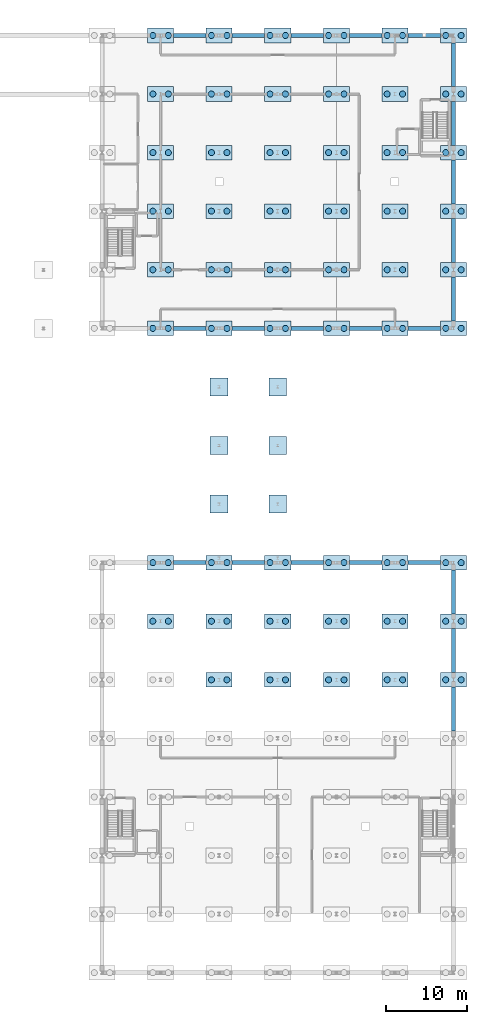
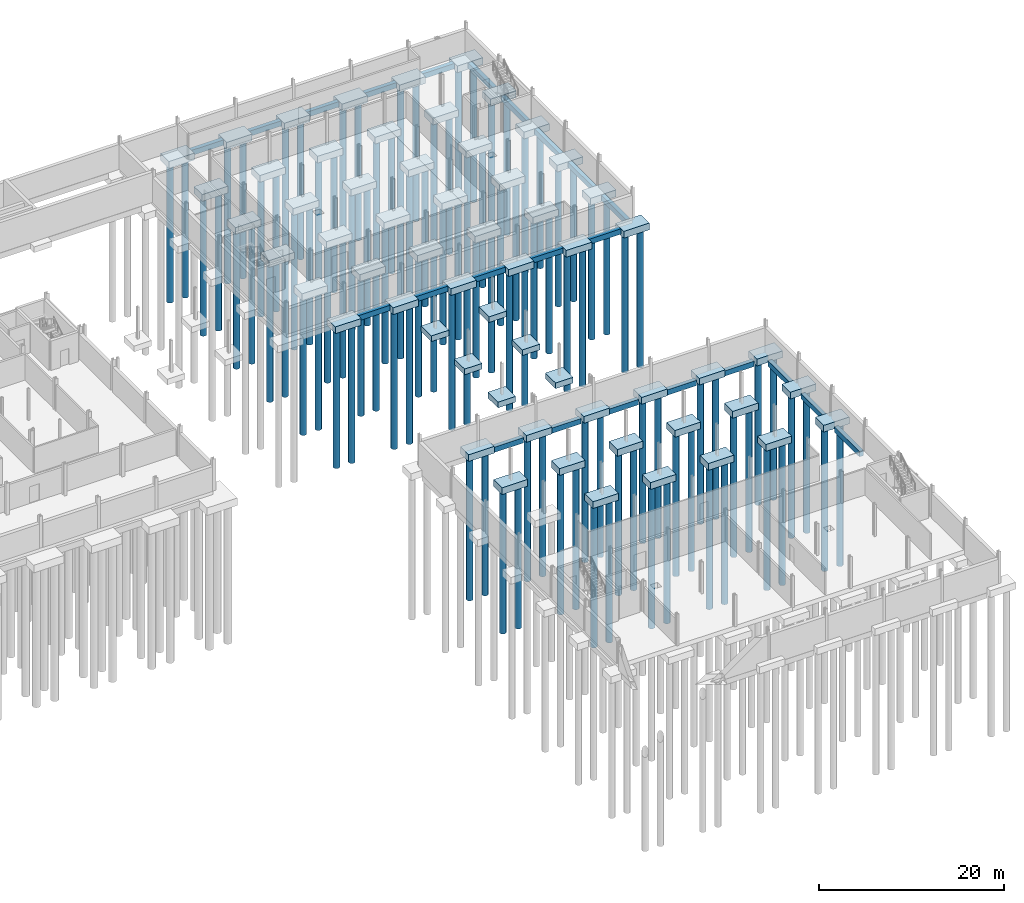
# One storey, part 7 of 50: 106 piles, 82 footings.
"""IFC4 building model written with IfcOpenShell, lengths in metres."""

from ifc_helpers import new_model, si_unit, direction, frame, origin, origin_2d, place, context, subcontext, project, spatial, rectangle, circle, extrude, material, layer, layer_set, material_profile, profile_set, type_object, element, save


model = new_model("IFC4")

# Units and contexts
model_context = context("Model", 3, precision=1e-05, world=origin(), true_north=direction((0.0, 1.0)))
body_context = subcontext(model_context, "Body", "Model", "MODEL_VIEW")
ifc_project = project(units=[si_unit("LENGTHUNIT", "METRE"), si_unit("AREAUNIT", "SQUARE_METRE"), si_unit("VOLUMEUNIT", "CUBIC_METRE"), si_unit("PLANEANGLEUNIT", "RADIAN"), si_unit("MASSUNIT", "GRAM", prefix="KILO")], contexts=[model_context])

# Site, building, storey
site_placement = place(None, origin())
site = spatial("IfcSite", under=ifc_project, at=site_placement, CompositionType="ELEMENT")
building_placement = place(site_placement, origin())
building = spatial("IfcBuilding", under=site, at=building_placement, Name="Narikvali Park Central Library", CompositionType="ELEMENT")
storey_placement = place(building_placement, frame((0.0, 0.0, -4.199951171875)))
storey = spatial("IfcBuildingStorey", under=building, at=storey_placement, Name="B1", CompositionType="ELEMENT", Elevation=-4.199951171875)

# Piles
ifc_material = material(Name="Concrete C35/45", Category="concrete")
ifc_material_profile_1 = material_profile(ifc_material, circle(Radius=0.375, at=origin_2d()), Name="PILE D750")
ifc_profile_set_1 = profile_set([ifc_material_profile_1], Name="Concrete C35/45")
pile_type = type_object("IfcPileType", Name="Bored Pile D750", PredefinedType="BORED", material=ifc_profile_set_1)
for number, where, z_axis, x_axis, name in (
    (1, (128.64990234375, 79.199951171875, -1.400146484375), (0.0, 0.0, -1.0), (1.0, 0.0, 0.0), "Bored Pile (128.65,79.20)"),
    (2, (130.550048828125, 79.199951171875, -1.400146484375), (0.0, 0.0, -1.0), (1.0, 0.0, 0.0), "Bored Pile (130.55,79.20)"),
    (3, (128.64990234375, 86.39990234375, -1.400146484375), (0.0, 0.0, -1.0), (1.0, 0.0, 0.0), "Bored Pile (128.65,86.40)"),
    (4, (130.550048828125, 86.39990234375, -1.400146484375), (0.0, 0.0, -1.0), (1.0, 0.0, 0.0), "Bored Pile (130.55,86.40)"),
    (5, (128.64990234375, 93.60009765625, -1.400146484375), (0.0, 0.0, -1.0), (1.0, 0.0, 0.0), "Bored Pile (128.65,93.60)"),
    (6, (130.550048828125, 93.60009765625, -1.400146484375), (0.0, 0.0, -1.0), (1.0, 0.0, 0.0), "Bored Pile (130.55,93.60)"),
    (7, (128.64990234375, 100.800048828125, -1.400146484375), (0.0, 0.0, -1.0), (1.0, 0.0, 0.0), "Bored Pile (128.65,100.80)"),
    (8, (130.550048828125, 100.800048828125, -1.400146484375), (0.0, 0.0, -1.0), (1.0, 0.0, 0.0), "Bored Pile (130.55,100.80)"),
    (9, (128.64990234375, 108.0, -1.400146484375), (0.0, 0.0, -1.0), (1.0, 0.0, 0.0), "Bored Pile (128.65,108.00)"),
    (10, (130.550048828125, 108.0, -1.400146484375), (0.0, 0.0, -1.0), (1.0, 0.0, 0.0), "Bored Pile (130.55,108.00)"),
    (11, (128.64990234375, 115.199951171875, -1.400146484375), (0.0, 0.0, -1.0), (1.0, 0.0, 0.0), "Bored Pile (128.65,115.20)"),
    (12, (130.550048828125, 115.199951171875, -1.400146484375), (0.0, 0.0, -1.0), (1.0, 0.0, 0.0), "Bored Pile (130.55,115.20)"),
    (13, (135.85009765625, 79.199951171875, -1.400146484375), (0.0, 0.0, -1.0), (1.0, 0.0, 0.0), "Bored Pile (135.85,79.20)"),
    (14, (137.75, 79.199951171875, -1.400146484375), (0.0, 0.0, -1.0), (1.0, 0.0, 0.0), "Bored Pile (137.75,79.20)"),
    (15, (135.85009765625, 86.39990234375, -1.400146484375), (0.0, 0.0, -1.0), (1.0, 0.0, 0.0), "Bored Pile (135.85,86.40)"),
    (16, (137.75, 86.39990234375, -1.400146484375), (0.0, 0.0, -1.0), (1.0, 0.0, 0.0), "Bored Pile (137.75,86.40)"),
    (17, (135.85009765625, 93.60009765625, -1.400146484375), (0.0, 0.0, -1.0), (1.0, 0.0, 0.0), "Bored Pile (135.85,93.60)"),
    (18, (137.75, 93.60009765625, -1.400146484375), (0.0, 0.0, -1.0), (1.0, 0.0, 0.0), "Bored Pile (137.75,93.60)"),
    (19, (135.85009765625, 100.800048828125, -1.400146484375), (0.0, 0.0, -1.0), (1.0, 0.0, 0.0), "Bored Pile (135.85,100.80)"),
    (20, (137.75, 100.800048828125, -1.400146484375), (0.0, 0.0, -1.0), (1.0, 0.0, 0.0), "Bored Pile (137.75,100.80)"),
    (21, (135.85009765625, 108.0, -1.400146484375), (0.0, 0.0, -1.0), (1.0, 0.0, 0.0), "Bored Pile (135.85,108.00)"),
    (22, (137.75, 108.0, -1.400146484375), (0.0, 0.0, -1.0), (1.0, 0.0, 0.0), "Bored Pile (137.75,108.00)"),
    (23, (135.85009765625, 115.199951171875, -1.400146484375), (0.0, 0.0, -1.0), (1.0, 0.0, 0.0), "Bored Pile (135.85,115.20)"),
    (24, (137.75, 115.199951171875, -1.400146484375), (0.0, 0.0, -1.0), (1.0, 0.0, 0.0), "Bored Pile (137.75,115.20)"),
    (25, (143.050048828125, 79.199951171875, -1.400146484375), (0.0, 0.0, -1.0), (1.0, 0.0, 0.0), "Bored Pile (143.05,79.20)"),
    (26, (144.949951171875, 79.199951171875, -1.400146484375), (0.0, 0.0, -1.0), (1.0, 0.0, 0.0), "Bored Pile (144.95,79.20)"),
    (27, (143.050048828125, 86.39990234375, -1.400146484375), (0.0, 0.0, -1.0), (1.0, 0.0, 0.0), "Bored Pile (143.05,86.40)"),
    (28, (144.949951171875, 86.39990234375, -1.400146484375), (0.0, 0.0, -1.0), (1.0, 0.0, 0.0), "Bored Pile (144.95,86.40)"),
    (29, (143.050048828125, 93.60009765625, -1.400146484375), (0.0, 0.0, -1.0), (1.0, 0.0, 0.0), "Bored Pile (143.05,93.60)"),
    (30, (144.949951171875, 93.60009765625, -1.400146484375), (0.0, 0.0, -1.0), (1.0, 0.0, 0.0), "Bored Pile (144.95,93.60)"),
    (31, (143.050048828125, 100.800048828125, -1.400146484375), (0.0, 0.0, -1.0), (1.0, 0.0, 0.0), "Bored Pile (143.05,100.80)"),
    (32, (144.949951171875, 100.800048828125, -1.400146484375), (0.0, 0.0, -1.0), (1.0, 0.0, 0.0), "Bored Pile (144.95,100.80)"),
    (33, (143.050048828125, 108.0, -1.400146484375), (0.0, 0.0, -1.0), (1.0, 0.0, 0.0), "Bored Pile (143.05,108.00)"),
    (34, (144.949951171875, 108.0, -1.400146484375), (0.0, 0.0, -1.0), (1.0, 0.0, 0.0), "Bored Pile (144.95,108.00)"),
    (35, (143.050048828125, 115.199951171875, -1.400146484375), (0.0, 0.0, -1.0), (1.0, 0.0, 0.0), "Bored Pile (143.05,115.20)"),
    (36, (144.949951171875, 115.199951171875, -1.400146484375), (0.0, 0.0, -1.0), (1.0, 0.0, 0.0), "Bored Pile (144.95,115.20)"),
    (37, (150.25, 79.199951171875, -1.400146484375), (0.0, 0.0, -1.0), (1.0, 0.0, 0.0), "Bored Pile (150.25,79.20)"),
    (38, (152.14990234375, 79.199951171875, -1.400146484375), (0.0, 0.0, -1.0), (1.0, 0.0, 0.0), "Bored Pile (152.15,79.20)"),
    (39, (150.25, 86.39990234375, -1.400146484375), (0.0, 0.0, -1.0), (1.0, 0.0, 0.0), "Bored Pile (150.25,86.40)"),
    (40, (152.14990234375, 86.39990234375, -1.400146484375), (0.0, 0.0, -1.0), (1.0, 0.0, 0.0), "Bored Pile (152.15,86.40)"),
    (41, (150.25, 93.60009765625, -1.400146484375), (0.0, 0.0, -1.0), (1.0, 0.0, 0.0), "Bored Pile (150.25,93.60)"),
    (42, (152.14990234375, 93.60009765625, -1.400146484375), (0.0, 0.0, -1.0), (1.0, 0.0, 0.0), "Bored Pile (152.15,93.60)"),
    (43, (150.25, 100.800048828125, -1.400146484375), (0.0, 0.0, -1.0), (1.0, 0.0, 0.0), "Bored Pile (150.25,100.80)"),
    (44, (152.14990234375, 100.800048828125, -1.400146484375), (0.0, 0.0, -1.0), (1.0, 0.0, 0.0), "Bored Pile (152.15,100.80)"),
    (45, (150.25, 108.0, -1.400146484375), (0.0, 0.0, -1.0), (1.0, 0.0, 0.0), "Bored Pile (150.25,108.00)"),
    (46, (152.14990234375, 108.0, -1.400146484375), (0.0, 0.0, -1.0), (1.0, 0.0, 0.0), "Bored Pile (152.15,108.00)"),
    (47, (150.25, 115.199951171875, -1.400146484375), (0.0, 0.0, -1.0), (1.0, 0.0, 0.0), "Bored Pile (150.25,115.20)"),
    (48, (152.14990234375, 115.199951171875, -1.400146484375), (0.0, 0.0, -1.0), (1.0, 0.0, 0.0), "Bored Pile (152.15,115.20)"),
    (49, (157.449951171875, 79.199951171875, -1.400146484375), (0.0, 0.0, -1.0), (1.0, 0.0, 0.0), "Bored Pile (157.45,79.20)"),
    (50, (159.35009765625, 79.199951171875, -1.400146484375), (0.0, 0.0, -1.0), (1.0, 0.0, 0.0), "Bored Pile (159.35,79.20)"),
    (51, (157.449951171875, 86.39990234375, -1.400146484375), (0.0, 0.0, -1.0), (1.0, 0.0, 0.0), "Bored Pile (157.45,86.40)"),
    (52, (159.35009765625, 86.39990234375, -1.400146484375), (0.0, 0.0, -1.0), (1.0, 0.0, 0.0), "Bored Pile (159.35,86.40)"),
    (53, (157.449951171875, 93.60009765625, -1.400146484375), (0.0, 0.0, -1.0), (1.0, 0.0, 0.0), "Bored Pile (157.45,93.60)"),
    (54, (159.35009765625, 93.60009765625, -1.400146484375), (0.0, 0.0, -1.0), (1.0, 0.0, 0.0), "Bored Pile (159.35,93.60)"),
    (55, (157.449951171875, 100.800048828125, -1.400146484375), (0.0, 0.0, -1.0), (1.0, 0.0, 0.0), "Bored Pile (157.45,100.80)"),
    (56, (159.35009765625, 100.800048828125, -1.400146484375), (0.0, 0.0, -1.0), (1.0, 0.0, 0.0), "Bored Pile (159.35,100.80)"),
    (57, (157.449951171875, 108.0, -1.400146484375), (0.0, 0.0, -1.0), (1.0, 0.0, 0.0), "Bored Pile (157.45,108.00)"),
    (58, (159.35009765625, 108.0, -1.400146484375), (0.0, 0.0, -1.0), (1.0, 0.0, 0.0), "Bored Pile (159.35,108.00)"),
    (59, (157.449951171875, 115.199951171875, -1.400146484375), (0.0, 0.0, -1.0), (1.0, 0.0, 0.0), "Bored Pile (157.45,115.20)"),
    (60, (159.35009765625, 115.199951171875, -1.400146484375), (0.0, 0.0, -1.0), (1.0, 0.0, 0.0), "Bored Pile (159.35,115.20)"),
    (61, (164.64990234375, 79.199951171875, -1.400146484375), (0.0, 0.0, -1.0), (1.0, 0.0, 0.0), "Bored Pile (164.65,79.20)"),
    (62, (166.550048828125, 79.199951171875, -1.400146484375), (0.0, 0.0, -1.0), (1.0, 0.0, 0.0), "Bored Pile (166.55,79.20)"),
    (63, (164.64990234375, 86.39990234375, -1.400146484375), (0.0, 0.0, -1.0), (1.0, 0.0, 0.0), "Bored Pile (164.65,86.40)"),
    (64, (166.550048828125, 86.39990234375, -1.400146484375), (0.0, 0.0, -1.0), (1.0, 0.0, 0.0), "Bored Pile (166.55,86.40)"),
    (65, (164.64990234375, 93.60009765625, -1.400146484375), (0.0, 0.0, -1.0), (1.0, 0.0, 0.0), "Bored Pile (164.65,93.60)"),
    (66, (166.550048828125, 93.60009765625, -1.400146484375), (0.0, 0.0, -1.0), (1.0, 0.0, 0.0), "Bored Pile (166.55,93.60)"),
    (67, (164.64990234375, 100.800048828125, -1.400146484375), (0.0, 0.0, -1.0), (1.0, 0.0, 0.0), "Bored Pile (164.65,100.80)"),
    (68, (166.550048828125, 100.800048828125, -1.400146484375), (0.0, 0.0, -1.0), (1.0, 0.0, 0.0), "Bored Pile (166.55,100.80)"),
    (69, (164.64990234375, 108.0, -1.400146484375), (0.0, 0.0, -1.0), (1.0, 0.0, 0.0), "Bored Pile (164.65,108.00)"),
    (70, (166.550048828125, 108.0, -1.400146484375), (0.0, 0.0, -1.0), (1.0, 0.0, 0.0), "Bored Pile (166.55,108.00)"),
    (71, (164.64990234375, 115.199951171875, -1.400146484375), (0.0, 0.0, -1.0), (1.0, 0.0, 0.0), "Bored Pile (164.65,115.20)"),
    (72, (166.550048828125, 115.199951171875, -1.400146484375), (0.0, 0.0, -1.0), (1.0, 0.0, 0.0), "Bored Pile (166.55,115.20)"),
):
    element("IfcPile", number, at=place(storey_placement, frame(where, z_axis=z_axis, x_axis=x_axis)), inside=storey, type_object=pile_type, Name=name, PredefinedType="BORED", context=body_context, shape_type="SweptSolid", body=[
        extrude(circle(Radius=0.375, at=origin_2d()), origin(), (0.0, 0.0, 1.0), 18.39990234375),
    ])
for number, where, z_axis, x_axis, name in (
    (73, (128.64990234375, 43.199951171875, -0.800048828125), (0.0, 0.0, -1.0), (1.0, 0.0, 0.0), "Bored Pile (128.65,43.20)"),
    (74, (130.550048828125, 43.199951171875, -0.800048828125), (0.0, 0.0, -1.0), (1.0, 0.0, 0.0), "Bored Pile (130.55,43.20)"),
    (75, (128.64990234375, 50.39990234375, -0.800048828125), (0.0, 0.0, -1.0), (1.0, 0.0, 0.0), "Bored Pile (128.65,50.40)"),
    (76, (130.550048828125, 50.39990234375, -0.800048828125), (0.0, 0.0, -1.0), (1.0, 0.0, 0.0), "Bored Pile (130.55,50.40)"),
    (77, (135.85009765625, 36.0, -0.800048828125), (0.0, 0.0, -1.0), (1.0, 0.0, 0.0), "Bored Pile (135.85,36.00)"),
    (78, (137.75, 36.0, -0.800048828125), (0.0, 0.0, -1.0), (1.0, 0.0, 0.0), "Bored Pile (137.75,36.00)"),
    (79, (135.85009765625, 43.199951171875, -0.800048828125), (0.0, 0.0, -1.0), (1.0, 0.0, 0.0), "Bored Pile (135.85,43.20)"),
    (80, (137.75, 43.199951171875, -0.800048828125), (0.0, 0.0, -1.0), (1.0, 0.0, 0.0), "Bored Pile (137.75,43.20)"),
    (81, (135.85009765625, 50.39990234375, -0.800048828125), (0.0, 0.0, -1.0), (1.0, 0.0, 0.0), "Bored Pile (135.85,50.40)"),
    (82, (137.75, 50.39990234375, -0.800048828125), (0.0, 0.0, -1.0), (1.0, 0.0, 0.0), "Bored Pile (137.75,50.40)"),
    (83, (143.050048828125, 36.0, -0.800048828125), (0.0, 0.0, -1.0), (1.0, 0.0, 0.0), "Bored Pile (143.05,36.00)"),
    (84, (144.949951171875, 36.0, -0.800048828125), (0.0, 0.0, -1.0), (1.0, 0.0, 0.0), "Bored Pile (144.95,36.00)"),
    (85, (143.050048828125, 43.199951171875, -0.800048828125), (0.0, 0.0, -1.0), (1.0, 0.0, 0.0), "Bored Pile (143.05,43.20)"),
    (86, (144.949951171875, 43.199951171875, -0.800048828125), (0.0, 0.0, -1.0), (1.0, 0.0, 0.0), "Bored Pile (144.95,43.20)"),
    (87, (143.050048828125, 50.39990234375, -0.800048828125), (0.0, 0.0, -1.0), (1.0, 0.0, 0.0), "Bored Pile (143.05,50.40)"),
    (88, (144.949951171875, 50.39990234375, -0.800048828125), (0.0, 0.0, -1.0), (1.0, 0.0, 0.0), "Bored Pile (144.95,50.40)"),
    (89, (150.25, 36.0, -0.800048828125), (0.0, 0.0, -1.0), (1.0, 0.0, 0.0), "Bored Pile (150.25,36.00)"),
    (90, (152.14990234375, 36.0, -0.800048828125), (0.0, 0.0, -1.0), (1.0, 0.0, 0.0), "Bored Pile (152.15,36.00)"),
    (91, (150.25, 43.199951171875, -0.800048828125), (0.0, 0.0, -1.0), (1.0, 0.0, 0.0), "Bored Pile (150.25,43.20)"),
    (92, (152.14990234375, 43.199951171875, -0.800048828125), (0.0, 0.0, -1.0), (1.0, 0.0, 0.0), "Bored Pile (152.15,43.20)"),
    (93, (150.25, 50.39990234375, -0.800048828125), (0.0, 0.0, -1.0), (1.0, 0.0, 0.0), "Bored Pile (150.25,50.40)"),
    (94, (152.14990234375, 50.39990234375, -0.800048828125), (0.0, 0.0, -1.0), (1.0, 0.0, 0.0), "Bored Pile (152.15,50.40)"),
    (95, (157.449951171875, 36.0, -0.800048828125), (0.0, 0.0, -1.0), (1.0, 0.0, 0.0), "Bored Pile (157.45,36.00)"),
    (96, (159.35009765625, 36.0, -0.800048828125), (0.0, 0.0, -1.0), (1.0, 0.0, 0.0), "Bored Pile (159.35,36.00)"),
    (97, (157.449951171875, 43.199951171875, -0.800048828125), (0.0, 0.0, -1.0), (1.0, 0.0, 0.0), "Bored Pile (157.45,43.20)"),
    (98, (159.35009765625, 43.199951171875, -0.800048828125), (0.0, 0.0, -1.0), (1.0, 0.0, 0.0), "Bored Pile (159.35,43.20)"),
    (99, (157.449951171875, 50.39990234375, -0.800048828125), (0.0, 0.0, -1.0), (1.0, 0.0, 0.0), "Bored Pile (157.45,50.40)"),
    (100, (159.35009765625, 50.39990234375, -0.800048828125), (0.0, 0.0, -1.0), (1.0, 0.0, 0.0), "Bored Pile (159.35,50.40)"),
    (101, (164.64990234375, 36.0, -0.800048828125), (0.0, 0.0, -1.0), (1.0, 0.0, 0.0), "Bored Pile (164.65,36.00)"),
    (102, (166.550048828125, 36.0, -0.800048828125), (0.0, 0.0, -1.0), (1.0, 0.0, 0.0), "Bored Pile (166.55,36.00)"),
    (103, (164.64990234375, 43.199951171875, -0.800048828125), (0.0, 0.0, -1.0), (1.0, 0.0, 0.0), "Bored Pile (164.65,43.20)"),
    (104, (166.550048828125, 43.199951171875, -0.800048828125), (0.0, 0.0, -1.0), (1.0, 0.0, 0.0), "Bored Pile (166.55,43.20)"),
    (105, (164.64990234375, 50.39990234375, -0.800048828125), (0.0, 0.0, -1.0), (1.0, 0.0, 0.0), "Bored Pile (164.65,50.40)"),
    (106, (166.550048828125, 50.39990234375, -0.800048828125), (0.0, 0.0, -1.0), (1.0, 0.0, 0.0), "Bored Pile (166.55,50.40)"),
):
    element("IfcPile", number, at=place(storey_placement, frame(where, z_axis=z_axis, x_axis=x_axis)), inside=storey, type_object=pile_type, Name=name, PredefinedType="BORED", context=body_context, shape_type="SweptSolid", body=[
        extrude(circle(Radius=0.375, at=origin_2d()), origin(), (0.0, 0.0, 1.0), 19.0),
    ])

# Footings
ifc_layer_1 = layer(ifc_material, 0.75, Name="Concrete C35/45")
ifc_layer_set_1 = layer_set([ifc_layer_1], Name="Concrete C35/45")
footing_type_1 = type_object("IfcFootingType", Name="Colonnade Pad Footing 2200x2200x750", PredefinedType="PAD_FOOTING", material=ifc_layer_set_1)
for number, where, z_axis, x_axis, name in (
    (107, (136.800048828125, 57.60009765625, -0.75), (0.0, 0.0, 1.0), (1.0, 0.0, 0.0), "BRG-4 Bridge Pier Pad Footing"),
    (108, (144.0, 57.60009765625, -0.75), (0.0, 0.0, 1.0), (1.0, 0.0, 0.0), "BRG-4 Bridge Pier Pad Footing"),
    (109, (136.800048828125, 64.800048828125, -0.75), (0.0, 0.0, 1.0), (1.0, 0.0, 0.0), "BRG-4 Bridge Pier Pad Footing"),
    (110, (144.0, 64.800048828125, -0.75), (0.0, 0.0, 1.0), (1.0, 0.0, 0.0), "BRG-4 Bridge Pier Pad Footing"),
    (111, (136.800048828125, 72.0, -0.75), (0.0, 0.0, 1.0), (1.0, 0.0, 0.0), "BRG-4 Bridge Pier Pad Footing"),
    (112, (144.0, 72.0, -0.75), (0.0, 0.0, 1.0), (1.0, 0.0, 0.0), "BRG-4 Bridge Pier Pad Footing"),
):
    element("IfcFooting", number, at=place(storey_placement, frame(where, z_axis=z_axis, x_axis=x_axis)), inside=storey, type_object=footing_type_1, Name=name, PredefinedType="PAD_FOOTING", context=body_context, shape_type="SweptSolid", body=[
        extrude(rectangle(XDim=2.199951171875, YDim=2.199951171875, at=origin_2d()), origin(), (0.0, 0.0, 1.0), 0.75),
    ])
ifc_material_profile_2 = material_profile(ifc_material, rectangle(XDim=0.5, YDim=0.699951171875, at=origin_2d()), Name="RC GB 500x700")
ifc_profile_set_2 = profile_set([ifc_material_profile_2], Name="Concrete C35/45")
footing_type_2 = type_object("IfcFootingType", Name="Pavilion Strip Tie Footing 500x700", PredefinedType="STRIP_FOOTING", material=ifc_profile_set_2)
for number, where, z_axis, x_axis, name in (
    (113, (131.199951171875, 79.199951171875, -1.0), (1.0, 0.0, 0.0), (0.0, 1.0, 0.0), "V3 Foundation Tie Beam X"),
    (114, (138.39990234375, 79.199951171875, -1.0), (1.0, 0.0, 0.0), (0.0, 1.0, 0.0), "V3 Foundation Tie Beam X"),
    (115, (145.60009765625, 79.199951171875, -1.0), (1.0, 0.0, 0.0), (0.0, 1.0, 0.0), "V3 Foundation Tie Beam X"),
    (116, (152.800048828125, 79.199951171875, -1.0), (1.0, 0.0, 0.0), (0.0, 1.0, 0.0), "V3 Foundation Tie Beam X"),
    (117, (160.0, 79.199951171875, -1.0), (1.0, 0.0, 0.0), (0.0, 1.0, 0.0), "V3 Foundation Tie Beam X"),
    (118, (131.199951171875, 115.199951171875, -1.0), (1.0, 0.0, 0.0), (0.0, 1.0, 0.0), "V3 Foundation Tie Beam X"),
    (119, (138.39990234375, 115.199951171875, -1.0), (1.0, 0.0, 0.0), (0.0, 1.0, 0.0), "V3 Foundation Tie Beam X"),
    (120, (145.60009765625, 115.199951171875, -1.0), (1.0, 0.0, 0.0), (0.0, 1.0, 0.0), "V3 Foundation Tie Beam X"),
    (121, (152.800048828125, 115.199951171875, -1.0), (1.0, 0.0, 0.0), (0.0, 1.0, 0.0), "V3 Foundation Tie Beam X"),
    (122, (160.0, 115.199951171875, -1.0), (1.0, 0.0, 0.0), (0.0, 1.0, 0.0), "V3 Foundation Tie Beam X"),
):
    element("IfcFooting", number, at=place(storey_placement, frame(where, z_axis=z_axis, x_axis=x_axis)), inside=storey, type_object=footing_type_2, Name=name, PredefinedType="STRIP_FOOTING", context=body_context, shape_type="SweptSolid", body=[
        extrude(rectangle(XDim=0.5, YDim=0.699951171875, at=origin_2d()), origin(), (0.0, 0.0, 1.0), 4.0),
    ])
for number, where, z_axis, x_axis, name in (
    (123, (165.60009765625, 80.10009765625, -1.0), (0.0, 1.0, 0.0), (-1.0, 0.0, 0.0), "V3 Foundation Tie Beam Y"),
    (124, (165.60009765625, 87.300048828125, -1.0), (0.0, 1.0, 0.0), (-1.0, 0.0, 0.0), "V3 Foundation Tie Beam Y"),
    (125, (165.60009765625, 94.5, -1.0), (0.0, 1.0, 0.0), (-1.0, 0.0, 0.0), "V3 Foundation Tie Beam Y"),
):
    element("IfcFooting", number, at=place(storey_placement, frame(where, z_axis=z_axis, x_axis=x_axis)), inside=storey, type_object=footing_type_2, Name=name, PredefinedType="STRIP_FOOTING", context=body_context, shape_type="SweptSolid", body=[
        extrude(rectangle(XDim=0.5, YDim=0.699951171875, at=origin_2d()), origin(), (0.0, 0.0, 1.0), 5.39990234375),
    ])
for number, where, z_axis, x_axis, name in (
    (126, (165.60009765625, 101.699951171875, -1.0), (0.0, 1.0, 0.0), (-1.0, 0.0, 0.0), "V3 Foundation Tie Beam Y"),
    (127, (165.60009765625, 108.89990234375, -1.0), (0.0, 1.0, 0.0), (-1.0, 0.0, 0.0), "V3 Foundation Tie Beam Y"),
):
    element("IfcFooting", number, at=place(storey_placement, frame(where, z_axis=z_axis, x_axis=x_axis)), inside=storey, type_object=footing_type_2, Name=name, PredefinedType="STRIP_FOOTING", context=body_context, shape_type="SweptSolid", body=[
        extrude(rectangle(XDim=0.5, YDim=0.699951171875, at=origin_2d()), origin(), (0.0, 0.0, 1.0), 5.400146484375),
    ])
for number, where, z_axis, x_axis, name in (
    (128, (131.199951171875, 50.39990234375, -1.0), (1.0, 0.0, 0.0), (0.0, 1.0, 0.0), "V6 Foundation Tie Beam X"),
    (129, (138.39990234375, 50.39990234375, -1.0), (1.0, 0.0, 0.0), (0.0, 1.0, 0.0), "V6 Foundation Tie Beam X"),
    (130, (145.60009765625, 50.39990234375, -1.0), (1.0, 0.0, 0.0), (0.0, 1.0, 0.0), "V6 Foundation Tie Beam X"),
    (131, (152.800048828125, 50.39990234375, -1.0), (1.0, 0.0, 0.0), (0.0, 1.0, 0.0), "V6 Foundation Tie Beam X"),
    (132, (160.0, 50.39990234375, -1.0), (1.0, 0.0, 0.0), (0.0, 1.0, 0.0), "V6 Foundation Tie Beam X"),
):
    element("IfcFooting", number, at=place(storey_placement, frame(where, z_axis=z_axis, x_axis=x_axis)), inside=storey, type_object=footing_type_2, Name=name, PredefinedType="STRIP_FOOTING", context=body_context, shape_type="SweptSolid", body=[
        extrude(rectangle(XDim=0.5, YDim=0.699951171875, at=origin_2d()), origin(), (0.0, 0.0, 1.0), 4.0),
    ])
for number, where, z_axis, x_axis, name in (
    (133, (165.60009765625, 29.699951171875, -1.0), (0.0, 1.0, 0.0), (-1.0, 0.0, 0.0), "V6 Foundation Tie Beam Y"),
    (134, (165.60009765625, 36.89990234375, -1.0), (0.0, 1.0, 0.0), (-1.0, 0.0, 0.0), "V6 Foundation Tie Beam Y"),
):
    element("IfcFooting", number, at=place(storey_placement, frame(where, z_axis=z_axis, x_axis=x_axis)), inside=storey, type_object=footing_type_2, Name=name, PredefinedType="STRIP_FOOTING", context=body_context, shape_type="SweptSolid", body=[
        extrude(rectangle(XDim=0.5, YDim=0.699951171875, at=origin_2d()), origin(), (0.0, 0.0, 1.0), 5.400146484375),
    ])
footing_placement = place(storey_placement, frame((165.60009765625, 44.10009765625, -1.0), z_axis=(0.0, 1.0, 0.0), x_axis=(-1.0, 0.0, 0.0)))
element("IfcFooting", 135, at=footing_placement, inside=storey, type_object=footing_type_2, Name="V6 Foundation Tie Beam Y", PredefinedType="STRIP_FOOTING", context=body_context, shape_type="SweptSolid", body=[
    extrude(rectangle(XDim=0.5, YDim=0.699951171875, at=origin_2d()), origin(), (0.0, 0.0, 1.0), 5.39990234375),
])
ifc_layer_2 = layer(ifc_material, 0.89990234375, Name="Concrete C35/45")
ifc_layer_set_2 = layer_set([ifc_layer_2], Name="Concrete C35/45")
footing_type_3 = type_object("IfcFootingType", Name="Two Pile Cap 3200x1800x900", PredefinedType="PILE_CAP", material=ifc_layer_set_2)
for number, where, z_axis, x_axis, name in (
    (136, (129.60009765625, 79.199951171875, -1.5), (0.0, 0.0, 1.0), (1.0, 0.0, 0.0), "Pile Cap (129.6,79.2)"),
    (137, (129.60009765625, 86.39990234375, -1.5), (0.0, 0.0, 1.0), (1.0, 0.0, 0.0), "Pile Cap (129.6,86.4)"),
    (138, (129.60009765625, 93.60009765625, -1.5), (0.0, 0.0, 1.0), (1.0, 0.0, 0.0), "Pile Cap (129.6,93.6)"),
    (139, (129.60009765625, 100.800048828125, -1.5), (0.0, 0.0, 1.0), (1.0, 0.0, 0.0), "Pile Cap (129.6,100.8)"),
    (140, (129.60009765625, 108.0, -1.5), (0.0, 0.0, 1.0), (1.0, 0.0, 0.0), "Pile Cap (129.6,108.0)"),
    (141, (129.60009765625, 115.199951171875, -1.5), (0.0, 0.0, 1.0), (1.0, 0.0, 0.0), "Pile Cap (129.6,115.2)"),
    (142, (136.800048828125, 79.199951171875, -1.5), (0.0, 0.0, 1.0), (1.0, 0.0, 0.0), "Pile Cap (136.8,79.2)"),
    (143, (136.800048828125, 86.39990234375, -1.5), (0.0, 0.0, 1.0), (1.0, 0.0, 0.0), "Pile Cap (136.8,86.4)"),
    (144, (136.800048828125, 93.60009765625, -1.5), (0.0, 0.0, 1.0), (1.0, 0.0, 0.0), "Pile Cap (136.8,93.6)"),
    (145, (136.800048828125, 100.800048828125, -1.5), (0.0, 0.0, 1.0), (1.0, 0.0, 0.0), "Pile Cap (136.8,100.8)"),
    (146, (136.800048828125, 108.0, -1.5), (0.0, 0.0, 1.0), (1.0, 0.0, 0.0), "Pile Cap (136.8,108.0)"),
    (147, (136.800048828125, 115.199951171875, -1.5), (0.0, 0.0, 1.0), (1.0, 0.0, 0.0), "Pile Cap (136.8,115.2)"),
    (148, (144.0, 79.199951171875, -1.5), (0.0, 0.0, 1.0), (1.0, 0.0, 0.0), "Pile Cap (144.0,79.2)"),
    (149, (144.0, 86.39990234375, -1.5), (0.0, 0.0, 1.0), (1.0, 0.0, 0.0), "Pile Cap (144.0,86.4)"),
    (150, (144.0, 93.60009765625, -1.5), (0.0, 0.0, 1.0), (1.0, 0.0, 0.0), "Pile Cap (144.0,93.6)"),
    (151, (144.0, 100.800048828125, -1.5), (0.0, 0.0, 1.0), (1.0, 0.0, 0.0), "Pile Cap (144.0,100.8)"),
    (152, (144.0, 108.0, -1.5), (0.0, 0.0, 1.0), (1.0, 0.0, 0.0), "Pile Cap (144.0,108.0)"),
    (153, (144.0, 115.199951171875, -1.5), (0.0, 0.0, 1.0), (1.0, 0.0, 0.0), "Pile Cap (144.0,115.2)"),
    (154, (151.199951171875, 79.199951171875, -1.5), (0.0, 0.0, 1.0), (1.0, 0.0, 0.0), "Pile Cap (151.2,79.2)"),
    (155, (151.199951171875, 86.39990234375, -1.5), (0.0, 0.0, 1.0), (1.0, 0.0, 0.0), "Pile Cap (151.2,86.4)"),
    (156, (151.199951171875, 93.60009765625, -1.5), (0.0, 0.0, 1.0), (1.0, 0.0, 0.0), "Pile Cap (151.2,93.6)"),
    (157, (151.199951171875, 100.800048828125, -1.5), (0.0, 0.0, 1.0), (1.0, 0.0, 0.0), "Pile Cap (151.2,100.8)"),
    (158, (151.199951171875, 108.0, -1.5), (0.0, 0.0, 1.0), (1.0, 0.0, 0.0), "Pile Cap (151.2,108.0)"),
    (159, (151.199951171875, 115.199951171875, -1.5), (0.0, 0.0, 1.0), (1.0, 0.0, 0.0), "Pile Cap (151.2,115.2)"),
    (160, (158.39990234375, 79.199951171875, -1.5), (0.0, 0.0, 1.0), (1.0, 0.0, 0.0), "Pile Cap (158.4,79.2)"),
    (161, (158.39990234375, 86.39990234375, -1.5), (0.0, 0.0, 1.0), (1.0, 0.0, 0.0), "Pile Cap (158.4,86.4)"),
    (162, (158.39990234375, 93.60009765625, -1.5), (0.0, 0.0, 1.0), (1.0, 0.0, 0.0), "Pile Cap (158.4,93.6)"),
    (163, (158.39990234375, 100.800048828125, -1.5), (0.0, 0.0, 1.0), (1.0, 0.0, 0.0), "Pile Cap (158.4,100.8)"),
    (164, (158.39990234375, 108.0, -1.5), (0.0, 0.0, 1.0), (1.0, 0.0, 0.0), "Pile Cap (158.4,108.0)"),
    (165, (158.39990234375, 115.199951171875, -1.5), (0.0, 0.0, 1.0), (1.0, 0.0, 0.0), "Pile Cap (158.4,115.2)"),
    (166, (165.60009765625, 79.199951171875, -1.5), (0.0, 0.0, 1.0), (1.0, 0.0, 0.0), "Pile Cap (165.6,79.2)"),
    (167, (165.60009765625, 86.39990234375, -1.5), (0.0, 0.0, 1.0), (1.0, 0.0, 0.0), "Pile Cap (165.6,86.4)"),
    (168, (165.60009765625, 93.60009765625, -1.5), (0.0, 0.0, 1.0), (1.0, 0.0, 0.0), "Pile Cap (165.6,93.6)"),
    (169, (165.60009765625, 100.800048828125, -1.5), (0.0, 0.0, 1.0), (1.0, 0.0, 0.0), "Pile Cap (165.6,100.8)"),
    (170, (165.60009765625, 108.0, -1.5), (0.0, 0.0, 1.0), (1.0, 0.0, 0.0), "Pile Cap (165.6,108.0)"),
    (171, (165.60009765625, 115.199951171875, -1.5), (0.0, 0.0, 1.0), (1.0, 0.0, 0.0), "Pile Cap (165.6,115.2)"),
    (172, (129.60009765625, 43.199951171875, -0.89990234375), (0.0, 0.0, 1.0), (1.0, 0.0, 0.0), "Pile Cap (129.6,43.2)"),
    (173, (129.60009765625, 50.39990234375, -0.89990234375), (0.0, 0.0, 1.0), (1.0, 0.0, 0.0), "Pile Cap (129.6,50.4)"),
    (174, (136.800048828125, 36.0, -0.89990234375), (0.0, 0.0, 1.0), (1.0, 0.0, 0.0), "Pile Cap (136.8,36.0)"),
    (175, (136.800048828125, 43.199951171875, -0.89990234375), (0.0, 0.0, 1.0), (1.0, 0.0, 0.0), "Pile Cap (136.8,43.2)"),
    (176, (136.800048828125, 50.39990234375, -0.89990234375), (0.0, 0.0, 1.0), (1.0, 0.0, 0.0), "Pile Cap (136.8,50.4)"),
    (177, (144.0, 36.0, -0.89990234375), (0.0, 0.0, 1.0), (1.0, 0.0, 0.0), "Pile Cap (144.0,36.0)"),
    (178, (144.0, 43.199951171875, -0.89990234375), (0.0, 0.0, 1.0), (1.0, 0.0, 0.0), "Pile Cap (144.0,43.2)"),
    (179, (144.0, 50.39990234375, -0.89990234375), (0.0, 0.0, 1.0), (1.0, 0.0, 0.0), "Pile Cap (144.0,50.4)"),
    (180, (151.199951171875, 36.0, -0.89990234375), (0.0, 0.0, 1.0), (1.0, 0.0, 0.0), "Pile Cap (151.2,36.0)"),
    (181, (151.199951171875, 43.199951171875, -0.89990234375), (0.0, 0.0, 1.0), (1.0, 0.0, 0.0), "Pile Cap (151.2,43.2)"),
    (182, (151.199951171875, 50.39990234375, -0.89990234375), (0.0, 0.0, 1.0), (1.0, 0.0, 0.0), "Pile Cap (151.2,50.4)"),
    (183, (158.39990234375, 36.0, -0.89990234375), (0.0, 0.0, 1.0), (1.0, 0.0, 0.0), "Pile Cap (158.4,36.0)"),
    (184, (158.39990234375, 43.199951171875, -0.89990234375), (0.0, 0.0, 1.0), (1.0, 0.0, 0.0), "Pile Cap (158.4,43.2)"),
    (185, (158.39990234375, 50.39990234375, -0.89990234375), (0.0, 0.0, 1.0), (1.0, 0.0, 0.0), "Pile Cap (158.4,50.4)"),
    (186, (165.60009765625, 36.0, -0.89990234375), (0.0, 0.0, 1.0), (1.0, 0.0, 0.0), "Pile Cap (165.6,36.0)"),
    (187, (165.60009765625, 43.199951171875, -0.89990234375), (0.0, 0.0, 1.0), (1.0, 0.0, 0.0), "Pile Cap (165.6,43.2)"),
    (188, (165.60009765625, 50.39990234375, -0.89990234375), (0.0, 0.0, 1.0), (1.0, 0.0, 0.0), "Pile Cap (165.6,50.4)"),
):
    element("IfcFooting", number, at=place(storey_placement, frame(where, z_axis=z_axis, x_axis=x_axis)), inside=storey, type_object=footing_type_3, Name=name, PredefinedType="PILE_CAP", context=body_context, shape_type="SweptSolid", body=[
        extrude(rectangle(XDim=3.199951171875, YDim=1.800048828125, at=origin_2d()), origin(), (0.0, 0.0, 1.0), 0.89990234375),
    ])

save(model, "model.ifc")
